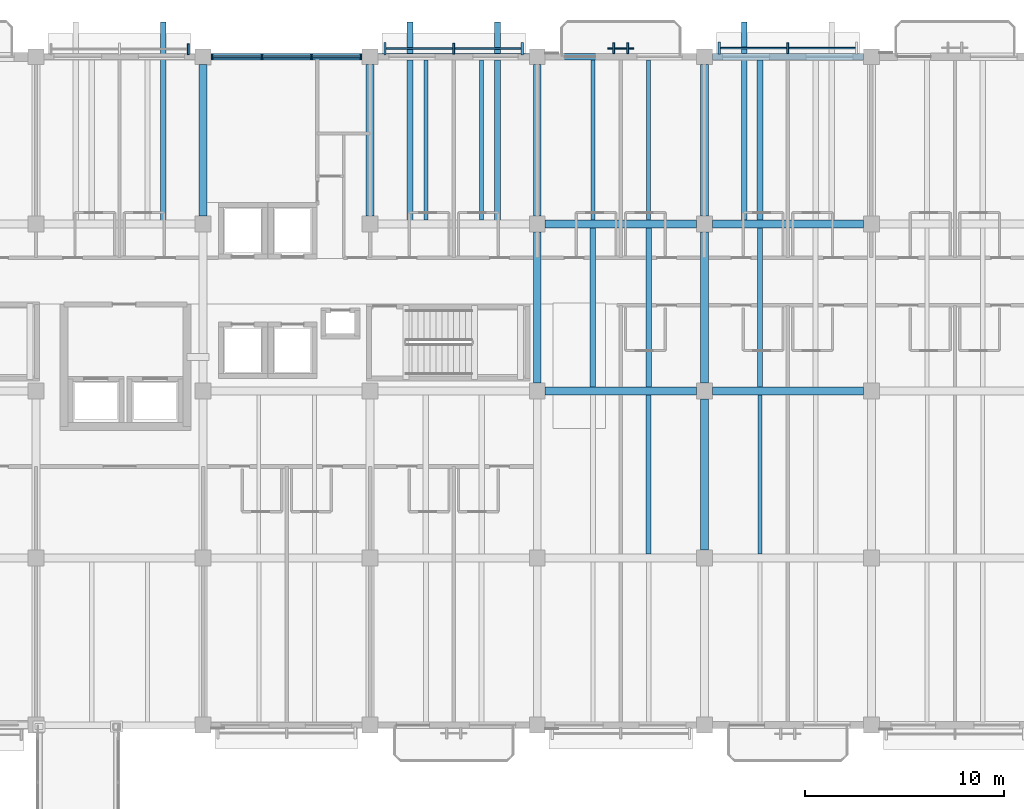
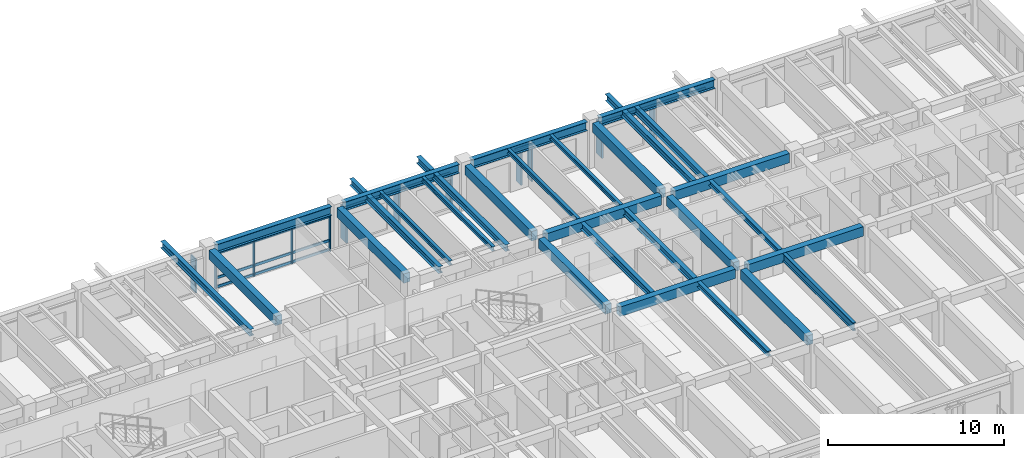
# One storey, part 19 of 123: 29 beams, 24 members, 5 elements without a shape of their own.
"""IFC4 building model written with IfcOpenShell, lengths in metres."""

from ifc_helpers import new_model, si_unit, direction, frame, origin, origin_2d, place, context, subcontext, project, spatial, rectangle, i_section, extrude, material, material_profile, profile_set, type_object, element, aggregate, save


model = new_model("IFC4")

# Units and contexts
model_context = context("Model", 3, precision=1e-05, world=origin(), true_north=direction((0.0, 1.0)))
body_context = subcontext(model_context, "Body", "Model", "MODEL_VIEW")
ifc_project = project(units=[si_unit("LENGTHUNIT", "METRE"), si_unit("AREAUNIT", "SQUARE_METRE"), si_unit("VOLUMEUNIT", "CUBIC_METRE"), si_unit("PLANEANGLEUNIT", "RADIAN"), si_unit("MASSUNIT", "GRAM", prefix="KILO")], contexts=[model_context])

# Site, building, storey
site_placement = place(None, origin())
site = spatial("IfcSite", under=ifc_project, at=site_placement, CompositionType="ELEMENT")
building_placement = place(site_placement, origin())
building = spatial("IfcBuilding", under=site, at=building_placement, Name="Cumbredor Promenade Congress Hotel", CompositionType="ELEMENT")
storey_placement = place(building_placement, frame((0.0, 0.0, 11.760009765625)))
storey = spatial("IfcBuildingStorey", under=building, at=storey_placement, Name="L03", CompositionType="ELEMENT", Elevation=11.760009765625)

# Beams
ifc_material_1 = material(Name="Concrete C40/50", Category="concrete")
ifc_material_profile_1 = material_profile(ifc_material_1, rectangle(XDim=0.39990234375, YDim=0.64990234375, at=origin_2d()), Name="RC BEAM 400x650")
ifc_profile_set_1 = profile_set([ifc_material_profile_1], Name="Concrete C40/50")
beam_type_1 = type_object("IfcBeamType", Name="BM-RC-400x650", PredefinedType="BEAM", material=ifc_profile_set_1)
for number, where, z_axis, x_axis, name in (
    (1, (33.60009765625, 109.60009765625, 2.794921875), (0.0, 1.0, 0.0), (-1.0, 0.0, 0.0), "L04 Y-Grid Beam 074"),
    (2, (42.0, 109.60009765625, 2.794921875), (0.0, 1.0, 0.0), (-1.0, 0.0, 0.0), "L04 Y-Grid Beam 087"),
    (3, (50.800048828125, 100.800048828125, 2.794921875), (1.0, 0.0, 0.0), (0.0, 1.0, 0.0), "L04 X-Grid Beam 098"),
):
    element("IfcBeam", number, at=place(storey_placement, frame(where, z_axis=z_axis, x_axis=x_axis)), inside=storey, type_object=beam_type_1, Name=name, PredefinedType="BEAM", context=body_context, shape_type="SweptSolid", body=[
        extrude(rectangle(XDim=0.39990234375, YDim=0.64990234375, at=origin_2d()), origin(), (0.0, 0.0, 1.0), 7.599853515625),
    ])
beam_1_placement = place(storey_placement, frame((50.39990234375, 101.199951171875, 2.794921875), z_axis=(0.0, 1.0, 0.0), x_axis=(-1.0, 0.0, 0.0)))
element("IfcBeam", 4, at=beam_1_placement, inside=storey, type_object=beam_type_1, Name="L04 Y-Grid Beam 099", PredefinedType="BEAM", context=body_context, shape_type="SweptSolid", body=[
    extrude(rectangle(XDim=0.39990234375, YDim=0.64990234375, at=origin_2d()), origin(), (0.0, 0.0, 1.0), 7.60009765625),
])
for number, where, z_axis, x_axis, name in (
    (5, (50.800048828125, 109.199951171875, 2.794921875), (1.0, 0.0, 0.0), (0.0, 1.0, 0.0), "L04 X-Grid Beam 100"),
    (6, (50.39990234375, 109.60009765625, 2.794921875), (0.0, 1.0, 0.0), (-1.0, 0.0, 0.0), "L04 Y-Grid Beam 101"),
    (7, (58.800048828125, 92.800048828125, 2.794921875), (0.0, 1.0, 0.0), (-1.0, 0.0, 0.0), "L04 Y-Grid Beam 119"),
):
    element("IfcBeam", number, at=place(storey_placement, frame(where, z_axis=z_axis, x_axis=x_axis)), inside=storey, type_object=beam_type_1, Name=name, PredefinedType="BEAM", context=body_context, shape_type="SweptSolid", body=[
        extrude(rectangle(XDim=0.39990234375, YDim=0.64990234375, at=origin_2d()), origin(), (0.0, 0.0, 1.0), 7.599853515625),
    ])
for number, where, z_axis, x_axis, name in (
    (8, (59.199951171875, 100.800048828125, 2.794921875), (1.0, 0.0, 0.0), (0.0, 1.0, 0.0), "L04 X-Grid Beam 120"),
    (9, (58.800048828125, 101.199951171875, 2.794921875), (0.0, 1.0, 0.0), (-1.0, 0.0, 0.0), "L04 Y-Grid Beam 121"),
    (10, (59.199951171875, 109.199951171875, 2.794921875), (1.0, 0.0, 0.0), (0.0, 1.0, 0.0), "L04 X-Grid Beam 122"),
):
    element("IfcBeam", number, at=place(storey_placement, frame(where, z_axis=z_axis, x_axis=x_axis)), inside=storey, type_object=beam_type_1, Name=name, PredefinedType="BEAM", context=body_context, shape_type="SweptSolid", body=[
        extrude(rectangle(XDim=0.39990234375, YDim=0.64990234375, at=origin_2d()), origin(), (0.0, 0.0, 1.0), 7.60009765625),
    ])
beam_2_placement = place(storey_placement, frame((58.800048828125, 109.60009765625, 2.794921875), z_axis=(0.0, 1.0, 0.0), x_axis=(-1.0, 0.0, 0.0)))
element("IfcBeam", 11, at=beam_2_placement, inside=storey, type_object=beam_type_1, Name="L04 Y-Grid Beam 123", PredefinedType="BEAM", context=body_context, shape_type="SweptSolid", body=[
    extrude(rectangle(XDim=0.39990234375, YDim=0.64990234375, at=origin_2d()), origin(), (0.0, 0.0, 1.0), 7.599853515625),
])
ifc_material_2 = material(Name="Steel ASTM A992 Grade 50", Category="steel")
ifc_material_profile_2 = material_profile(ifc_material_2, i_section(OverallWidth=0.323974609375, OverallDepth=0.611083984375, WebThickness=0.0126953125, FlangeThickness=0.01904296875, at=origin_2d()), Name="W24X104")
ifc_profile_set_2 = profile_set([ifc_material_profile_2], Name="Steel ASTM A992 Grade 50")
beam_type_2 = type_object("IfcBeamType", Name="BM-W24X104", PredefinedType="BEAM", material=ifc_profile_set_2)
for number, where, z_axis, x_axis, name in (
    (12, (34.0, 117.60009765625, 2.814453125), (1.0, 0.0, 0.0), (0.0, 1.0, 0.0), "L04 X-Grid Beam 075"),
    (13, (42.39990234375, 117.60009765625, 2.814453125), (1.0, 0.0, 0.0), (0.0, 1.0, 0.0), "L04 X-Grid Beam 088"),
):
    element("IfcBeam", number, at=place(storey_placement, frame(where, z_axis=z_axis, x_axis=x_axis)), inside=storey, type_object=beam_type_2, Name=name, PredefinedType="BEAM", context=body_context, shape_type="SweptSolid", body=[
        extrude(i_section(OverallWidth=0.323974609375, OverallDepth=0.611083984375, WebThickness=0.0126953125, FlangeThickness=0.01904296875, at=origin_2d()), origin(), (0.0, 0.0, 1.0), 7.60009765625),
    ])
beam_3_placement = place(storey_placement, frame((50.800048828125, 117.60009765625, 2.814453125), z_axis=(1.0, 0.0, 0.0), x_axis=(0.0, 1.0, 0.0)))
element("IfcBeam", 14, at=beam_3_placement, inside=storey, type_object=beam_type_2, Name="L04 X-Grid Beam 102", PredefinedType="BEAM", context=body_context, shape_type="SweptSolid", body=[
    extrude(i_section(OverallWidth=0.323974609375, OverallDepth=0.611083984375, WebThickness=0.0126953125, FlangeThickness=0.01904296875, at=origin_2d()), origin(), (0.0, 0.0, 1.0), 7.599853515625),
])
beam_4_placement = place(storey_placement, frame((59.199951171875, 117.60009765625, 2.814453125), z_axis=(1.0, 0.0, 0.0), x_axis=(0.0, 1.0, 0.0)))
element("IfcBeam", 15, at=beam_4_placement, inside=storey, type_object=beam_type_2, Name="L04 X-Grid Beam 124", PredefinedType="BEAM", context=body_context, shape_type="SweptSolid", body=[
    extrude(i_section(OverallWidth=0.323974609375, OverallDepth=0.611083984375, WebThickness=0.0126953125, FlangeThickness=0.01904296875, at=origin_2d()), origin(), (0.0, 0.0, 1.0), 7.60009765625),
])

# Curtain wall, members
ifc_material_3 = material(Name="Thermally broken anodized aluminium and low-E glass", Category="aluminium")
curtain_wall_type_1 = type_object("IfcCurtainWallType", Name="Unitised Bronze Curtain Wall CW-01", PredefinedType="NOTDEFINED", material=ifc_material_3)
curtain_wall_1_placement = place(storey_placement, origin())
curtain_wall_1 = element("IfcCurtainWall", 16, at=curtain_wall_1_placement, inside=storey, type_object=curtain_wall_type_1, Name="L03 Stepped Congress Hotel Wing North Curtain Wall 5", PredefinedType="NOTDEFINED")
ifc_material_4 = material(Name="Thermally broken anodized aluminium", Category="aluminium")
ifc_material_profile_3 = material_profile(ifc_material_4, rectangle(XDim=0.080078125, YDim=0.239990234375, at=origin_2d()), Name="ALU MULLION 80x240")
ifc_profile_set_3 = profile_set([ifc_material_profile_3], Name="Thermally broken anodized aluminium")
member_type_1 = type_object("IfcMemberType", Name="Curtain Wall Mullion ML-03", PredefinedType="MULLION", material=ifc_profile_set_3)
member_1_placement = place(storey_placement, frame((34.054931640625, 117.60009765625, -0.008056640625), z_axis=(0.0, 0.0, 1.0), x_axis=(1.0, 0.0, 0.0)))
member_1 = element("IfcMember", 17, at=member_1_placement, type_object=member_type_1, Name="L03 Stepped Congress Hotel Wing North Curtain Wall 5 Mullion 1", PredefinedType="MULLION", context=body_context, shape_type="SweptSolid", body=[
    extrude(rectangle(XDim=0.080078125, YDim=0.239990234375, at=origin_2d()), origin(), (0.0, 0.0, 1.0), 2.510009765625),
])
member_2_placement = place(storey_placement, frame((36.5517578125, 117.60009765625, -0.008056640625), z_axis=(0.0, 0.0, 1.0), x_axis=(1.0, 0.0, 0.0)))
member_2 = element("IfcMember", 18, at=member_2_placement, type_object=member_type_1, Name="L03 Stepped Congress Hotel Wing North Curtain Wall 5 Mullion 2", PredefinedType="MULLION", context=body_context, shape_type="SweptSolid", body=[
    extrude(rectangle(XDim=0.080078125, YDim=0.239990234375, at=origin_2d()), origin(), (0.0, 0.0, 1.0), 2.510009765625),
])
member_3_placement = place(storey_placement, frame((39.04833984375, 117.60009765625, -0.008056640625), z_axis=(0.0, 0.0, 1.0), x_axis=(1.0, 0.0, 0.0)))
member_3 = element("IfcMember", 19, at=member_3_placement, type_object=member_type_1, Name="L03 Stepped Congress Hotel Wing North Curtain Wall 5 Mullion 3", PredefinedType="MULLION", context=body_context, shape_type="SweptSolid", body=[
    extrude(rectangle(XDim=0.080078125, YDim=0.239990234375, at=origin_2d()), origin(), (0.0, 0.0, 1.0), 2.510009765625),
])
member_4_placement = place(storey_placement, frame((41.544921875, 117.60009765625, -0.008056640625), z_axis=(0.0, 0.0, 1.0), x_axis=(1.0, 0.0, 0.0)))
member_4 = element("IfcMember", 20, at=member_4_placement, type_object=member_type_1, Name="L03 Stepped Congress Hotel Wing North Curtain Wall 5 Mullion 4", PredefinedType="MULLION", context=body_context, shape_type="SweptSolid", body=[
    extrude(rectangle(XDim=0.080078125, YDim=0.239990234375, at=origin_2d()), origin(), (0.0, 0.0, 1.0), 2.510009765625),
])

# Curtain wall, member
curtain_wall_type_2 = type_object("IfcCurtainWallType", Name="Solar Brise-Soleil Screen Assembly CW-07", PredefinedType="NOTDEFINED", material=ifc_material_3)
curtain_wall_2_placement = place(storey_placement, origin())
curtain_wall_2 = element("IfcCurtainWall", 21, at=curtain_wall_2_placement, inside=storey, type_object=curtain_wall_type_2, Name="L03 Hospitality Brise-Soleil Screen 063", PredefinedType="NOTDEFINED")
ifc_material_profile_4 = material_profile(ifc_material_4, rectangle(XDim=0.06494140625, YDim=0.1298828125, at=origin_2d()), Name="ALU TRANSOM 65x130")
ifc_profile_set_4 = profile_set([ifc_material_profile_4], Name="Thermally broken anodized aluminium")
member_type_2 = type_object("IfcMemberType", Name="Curtain Wall Transom TR-01", PredefinedType="USERDEFINED", material=ifc_profile_set_4)
member_5_placement = place(storey_placement, frame((42.700927734375, 118.010009765625, 2.31396484375), z_axis=(1.0, 0.0, 0.0), x_axis=(0.0, 1.0, 0.0)))
member_5 = element("IfcMember", 22, at=member_5_placement, type_object=member_type_2, Name="L03 Brise-Soleil Screen Transom 063", ObjectType="TRANSOM", PredefinedType="USERDEFINED", context=body_context, shape_type="SweptSolid", body=[
    extrude(rectangle(XDim=0.06494140625, YDim=0.1298828125, at=origin_2d()), origin(), (0.0, 0.0, 1.0), 6.998046875),
])

curtain_wall_3_placement = place(storey_placement, origin())
curtain_wall_3 = element("IfcCurtainWall", 23, at=curtain_wall_3_placement, inside=storey, type_object=curtain_wall_type_2, Name="L03 Veranda Solar Brise-Soleil Screen 661", PredefinedType="NOTDEFINED")
member_6_placement = place(storey_placement, frame((53.949951171875, 118.0224609375, 2.4140625), z_axis=(1.0, 0.0, 0.0), x_axis=(0.0, 1.0, 0.0)))
member_6 = element("IfcMember", 24, at=member_6_placement, type_object=member_type_2, Name="L03 Brise-Soleil Header Tie 0663", ObjectType="TRANSOM", PredefinedType="USERDEFINED", context=body_context, shape_type="SweptSolid", body=[
    extrude(rectangle(XDim=0.06494140625, YDim=0.1298828125, at=origin_2d()), origin(), (0.0, 0.0, 1.0), 1.300048828125),
])

curtain_wall_4_placement = place(storey_placement, origin())
curtain_wall_4 = element("IfcCurtainWall", 25, at=curtain_wall_4_placement, inside=storey, type_object=curtain_wall_type_2, Name="L03 Hospitality Brise-Soleil Screen 064", PredefinedType="NOTDEFINED")
member_7_placement = place(storey_placement, frame((59.5009765625, 118.034912109375, 2.31396484375), z_axis=(1.0, 0.0, 0.0), x_axis=(0.0, 1.0, 0.0)))
member_7 = element("IfcMember", 26, at=member_7_placement, type_object=member_type_2, Name="L03 Brise-Soleil Screen Transom 064", ObjectType="TRANSOM", PredefinedType="USERDEFINED", context=body_context, shape_type="SweptSolid", body=[
    extrude(rectangle(XDim=0.06494140625, YDim=0.1298828125, at=origin_2d()), origin(), (0.0, 0.0, 1.0), 6.998046875),
])

# Member
ifc_material_profile_5 = material_profile(ifc_material_4, rectangle(XDim=0.080078125, YDim=0.179931640625, at=origin_2d()), Name="ALU TRANSOM 80x180")
ifc_profile_set_5 = profile_set([ifc_material_profile_5], Name="Thermally broken anodized aluminium")
member_type_3 = type_object("IfcMemberType", Name="Curtain Wall Transom TR-03", PredefinedType="USERDEFINED", material=ifc_profile_set_5)
member_8_placement = place(storey_placement, frame((34.094970703125, 117.60009765625, 0.090087890625), z_axis=(1.0, 0.0, 0.0), x_axis=(0.0, 1.0, 0.0)))
member_8 = element("IfcMember", 27, at=member_8_placement, type_object=member_type_3, Name="L03 Stepped Congress Hotel Wing North Curtain Wall 5 Transom 1.1", ObjectType="TRANSOM", PredefinedType="USERDEFINED", context=body_context, shape_type="SweptSolid", body=[
    extrude(rectangle(XDim=0.080078125, YDim=0.179931640625, at=origin_2d()), origin(), (0.0, 0.0, 1.0), 2.416748046875),
])

member_9_placement = place(storey_placement, frame((34.094970703125, 117.60009765625, 0.719970703125), z_axis=(1.0, 0.0, 0.0), x_axis=(0.0, 1.0, 0.0)))
member_9 = element("IfcMember", 28, at=member_9_placement, type_object=member_type_3, Name="L03 Stepped Congress Hotel Wing North Curtain Wall 5 Transom 1.2", ObjectType="TRANSOM", PredefinedType="USERDEFINED", context=body_context, shape_type="SweptSolid", body=[
    extrude(rectangle(XDim=0.080078125, YDim=0.179931640625, at=origin_2d()), origin(), (0.0, 0.0, 1.0), 2.416748046875),
])

member_10_placement = place(storey_placement, frame((34.094970703125, 117.60009765625, 2.39990234375), z_axis=(1.0, 0.0, 0.0), x_axis=(0.0, 1.0, 0.0)))
member_10 = element("IfcMember", 29, at=member_10_placement, type_object=member_type_3, Name="L03 Stepped Congress Hotel Wing North Curtain Wall 5 Transom 1.3", ObjectType="TRANSOM", PredefinedType="USERDEFINED", context=body_context, shape_type="SweptSolid", body=[
    extrude(rectangle(XDim=0.080078125, YDim=0.179931640625, at=origin_2d()), origin(), (0.0, 0.0, 1.0), 2.416748046875),
])

member_11_placement = place(storey_placement, frame((36.591796875, 117.60009765625, 0.090087890625), z_axis=(1.0, 0.0, 0.0), x_axis=(0.0, 1.0, 0.0)))
member_11 = element("IfcMember", 30, at=member_11_placement, type_object=member_type_3, Name="L03 Stepped Congress Hotel Wing North Curtain Wall 5 Transom 2.1", ObjectType="TRANSOM", PredefinedType="USERDEFINED", context=body_context, shape_type="SweptSolid", body=[
    extrude(rectangle(XDim=0.080078125, YDim=0.179931640625, at=origin_2d()), origin(), (0.0, 0.0, 1.0), 2.41650390625),
])

member_12_placement = place(storey_placement, frame((36.591796875, 117.60009765625, 0.719970703125), z_axis=(1.0, 0.0, 0.0), x_axis=(0.0, 1.0, 0.0)))
member_12 = element("IfcMember", 31, at=member_12_placement, type_object=member_type_3, Name="L03 Stepped Congress Hotel Wing North Curtain Wall 5 Transom 2.2", ObjectType="TRANSOM", PredefinedType="USERDEFINED", context=body_context, shape_type="SweptSolid", body=[
    extrude(rectangle(XDim=0.080078125, YDim=0.179931640625, at=origin_2d()), origin(), (0.0, 0.0, 1.0), 2.41650390625),
])

member_13_placement = place(storey_placement, frame((36.591796875, 117.60009765625, 2.39990234375), z_axis=(1.0, 0.0, 0.0), x_axis=(0.0, 1.0, 0.0)))
member_13 = element("IfcMember", 32, at=member_13_placement, type_object=member_type_3, Name="L03 Stepped Congress Hotel Wing North Curtain Wall 5 Transom 2.3", ObjectType="TRANSOM", PredefinedType="USERDEFINED", context=body_context, shape_type="SweptSolid", body=[
    extrude(rectangle(XDim=0.080078125, YDim=0.179931640625, at=origin_2d()), origin(), (0.0, 0.0, 1.0), 2.41650390625),
])

member_14_placement = place(storey_placement, frame((39.08837890625, 117.60009765625, 0.090087890625), z_axis=(1.0, 0.0, 0.0), x_axis=(0.0, 1.0, 0.0)))
member_14 = element("IfcMember", 33, at=member_14_placement, type_object=member_type_3, Name="L03 Stepped Congress Hotel Wing North Curtain Wall 5 Transom 3.1", ObjectType="TRANSOM", PredefinedType="USERDEFINED", context=body_context, shape_type="SweptSolid", body=[
    extrude(rectangle(XDim=0.080078125, YDim=0.179931640625, at=origin_2d()), origin(), (0.0, 0.0, 1.0), 2.41650390625),
])

member_15_placement = place(storey_placement, frame((39.08837890625, 117.60009765625, 0.719970703125), z_axis=(1.0, 0.0, 0.0), x_axis=(0.0, 1.0, 0.0)))
member_15 = element("IfcMember", 34, at=member_15_placement, type_object=member_type_3, Name="L03 Stepped Congress Hotel Wing North Curtain Wall 5 Transom 3.2", ObjectType="TRANSOM", PredefinedType="USERDEFINED", context=body_context, shape_type="SweptSolid", body=[
    extrude(rectangle(XDim=0.080078125, YDim=0.179931640625, at=origin_2d()), origin(), (0.0, 0.0, 1.0), 2.41650390625),
])

member_16_placement = place(storey_placement, frame((39.08837890625, 117.60009765625, 2.39990234375), z_axis=(1.0, 0.0, 0.0), x_axis=(0.0, 1.0, 0.0)))
member_16 = element("IfcMember", 35, at=member_16_placement, type_object=member_type_3, Name="L03 Stepped Congress Hotel Wing North Curtain Wall 5 Transom 3.3", ObjectType="TRANSOM", PredefinedType="USERDEFINED", context=body_context, shape_type="SweptSolid", body=[
    extrude(rectangle(XDim=0.080078125, YDim=0.179931640625, at=origin_2d()), origin(), (0.0, 0.0, 1.0), 2.41650390625),
])

aggregate(curtain_wall_1, [member_1, member_2, member_3, member_4, member_8, member_9, member_10, member_11, member_12, member_13, member_14, member_15, member_16])

# Beams
ifc_material_profile_6 = material_profile(ifc_material_2, i_section(OverallWidth=0.202880859375, OverallDepth=0.302978515625, WebThickness=0.007568359375, FlangeThickness=0.01318359375, at=origin_2d()), Name="W12X40")
ifc_profile_set_6 = profile_set([ifc_material_profile_6], Name="Steel ASTM A992 Grade 50")
beam_type_3 = type_object("IfcBeamType", Name="JST-W12X40", PredefinedType="JOIST", material=ifc_profile_set_6)
for number, where, z_axis, x_axis, name in (
    (36, (44.800048828125, 109.39990234375, 2.968505859375), (0.0, 1.0, 0.0), (-1.0, 0.0, 0.0), "L04 Secondary Floor Joist 0050"),
    (37, (47.60009765625, 109.39990234375, 2.968505859375), (0.0, 1.0, 0.0), (-1.0, 0.0, 0.0), "L04 Secondary Floor Joist 0051"),
    (38, (53.199951171875, 109.39990234375, 2.968505859375), (0.0, 1.0, 0.0), (-1.0, 0.0, 0.0), "L04 Secondary Floor Joist 0060"),
    (39, (56.0, 109.39990234375, 2.968505859375), (0.0, 1.0, 0.0), (-1.0, 0.0, 0.0), "L04 Secondary Floor Joist 0061"),
):
    element("IfcBeam", number, at=place(storey_placement, frame(where, z_axis=z_axis, x_axis=x_axis)), inside=storey, type_object=beam_type_3, Name=name, PredefinedType="JOIST", context=body_context, shape_type="SweptSolid", body=[
        extrude(i_section(OverallWidth=0.202880859375, OverallDepth=0.302978515625, WebThickness=0.007568359375, FlangeThickness=0.01318359375, at=origin_2d()), origin(), (0.0, 0.0, 1.0), 8.0380859375),
    ])
ifc_material_profile_7 = material_profile(ifc_material_2, i_section(OverallWidth=0.2548828125, OverallDepth=0.35693359375, WebThickness=0.010498046875, FlangeThickness=0.018310546875, at=origin_2d()), Name="W14X68")
ifc_profile_set_7 = profile_set([ifc_material_profile_7], Name="Steel ASTM A992 Grade 50")
beam_type_4 = type_object("IfcBeamType", Name="JST-W14X68", PredefinedType="JOIST", material=ifc_profile_set_7)
for number, where, z_axis, x_axis, name in (
    (40, (56.0, 92.60009765625, 2.94140625), (0.0, 1.0, 0.0), (-1.0, 0.0, 0.0), "L04 Secondary Floor Joist 0057"),
    (41, (61.60009765625, 101.0, 2.94140625), (0.0, 1.0, 0.0), (-1.0, 0.0, 0.0), "L04 Secondary Floor Joist 0076"),
):
    element("IfcBeam", number, at=place(storey_placement, frame(where, z_axis=z_axis, x_axis=x_axis)), inside=storey, type_object=beam_type_4, Name=name, PredefinedType="JOIST", context=body_context, shape_type="SweptSolid", body=[
        extrude(i_section(OverallWidth=0.2548828125, OverallDepth=0.35693359375, WebThickness=0.010498046875, FlangeThickness=0.018310546875, at=origin_2d()), origin(), (0.0, 0.0, 1.0), 8.0),
    ])
ifc_material_profile_8 = material_profile(ifc_material_2, i_section(OverallWidth=0.280029296875, OverallDepth=0.462890625, WebThickness=0.0107421875, FlangeThickness=0.017333984375, at=origin_2d()), Name="W18X76")
ifc_profile_set_8 = profile_set([ifc_material_profile_8], Name="Steel ASTM A992 Grade 50")
beam_type_5 = type_object("IfcBeamType", Name="JST-W18X76", PredefinedType="JOIST", material=ifc_profile_set_8)
for number, where, z_axis, x_axis, name in (
    (42, (31.60009765625, 109.199951171875, 2.888427734375), (0.0, 1.0, 0.0), (-1.0, 0.0, 0.0), "L04 Balcony Back-Spanned Outrigger Beam 021.2"),
    (43, (44.0, 109.199951171875, 2.888427734375), (0.0, 1.0, 0.0), (-1.0, 0.0, 0.0), "L04 Balcony Back-Spanned Outrigger Beam 022.1"),
    (44, (48.39990234375, 109.199951171875, 2.888427734375), (0.0, 1.0, 0.0), (-1.0, 0.0, 0.0), "L04 Balcony Back-Spanned Outrigger Beam 022.2"),
    (45, (60.800048828125, 109.199951171875, 2.888427734375), (0.0, 1.0, 0.0), (-1.0, 0.0, 0.0), "L04 Balcony Back-Spanned Outrigger Beam 023.1"),
):
    element("IfcBeam", number, at=place(storey_placement, frame(where, z_axis=z_axis, x_axis=x_axis)), inside=storey, type_object=beam_type_5, Name=name, PredefinedType="JOIST", context=body_context, shape_type="SweptSolid", body=[
        extrude(i_section(OverallWidth=0.280029296875, OverallDepth=0.462890625, WebThickness=0.0107421875, FlangeThickness=0.017333984375, at=origin_2d()), origin(), (0.0, 0.0, 1.0), 10.150146484375),
    ])
for number, where, z_axis, x_axis, name in (
    (46, (53.199951171875, 101.0, 2.888427734375), (0.0, 1.0, 0.0), (-1.0, 0.0, 0.0), "L04 Secondary Floor Joist 0058"),
    (47, (56.0, 101.0, 2.888427734375), (0.0, 1.0, 0.0), (-1.0, 0.0, 0.0), "L04 Secondary Floor Joist 0059"),
):
    element("IfcBeam", number, at=place(storey_placement, frame(where, z_axis=z_axis, x_axis=x_axis)), inside=storey, type_object=beam_type_5, Name=name, PredefinedType="JOIST", context=body_context, shape_type="SweptSolid", body=[
        extrude(i_section(OverallWidth=0.280029296875, OverallDepth=0.462890625, WebThickness=0.0107421875, FlangeThickness=0.017333984375, at=origin_2d()), origin(), (0.0, 0.0, 1.0), 8.0),
    ])
beam_5_placement = place(storey_placement, frame((61.60009765625, 109.39990234375, 2.888427734375), z_axis=(0.0, 1.0, 0.0), x_axis=(-1.0, 0.0, 0.0)))
element("IfcBeam", 48, at=beam_5_placement, inside=storey, type_object=beam_type_5, Name="L04 Secondary Floor Joist 0078", PredefinedType="JOIST", context=body_context, shape_type="SweptSolid", body=[
    extrude(i_section(OverallWidth=0.280029296875, OverallDepth=0.462890625, WebThickness=0.0107421875, FlangeThickness=0.017333984375, at=origin_2d()), origin(), (0.0, 0.0, 1.0), 8.0380859375),
])
ifc_material_profile_9 = material_profile(ifc_material_2, i_section(OverallWidth=0.214111328125, OverallDepth=0.549072265625, WebThickness=0.0146484375, FlangeThickness=0.023681640625, at=origin_2d()), Name="W21X93")
ifc_profile_set_9 = profile_set([ifc_material_profile_9], Name="Steel ASTM A992 Grade 50")
beam_type_6 = type_object("IfcBeamType", Name="JST-W21X93", PredefinedType="JOIST", material=ifc_profile_set_9)
beam_6_placement = place(storey_placement, frame((61.60009765625, 92.60009765625, 2.845458984375), z_axis=(0.0, 1.0, 0.0), x_axis=(-1.0, 0.0, 0.0)))
element("IfcBeam", 49, at=beam_6_placement, inside=storey, type_object=beam_type_6, Name="L04 Secondary Floor Joist 0074", PredefinedType="JOIST", context=body_context, shape_type="SweptSolid", body=[
    extrude(i_section(OverallWidth=0.214111328125, OverallDepth=0.549072265625, WebThickness=0.0146484375, FlangeThickness=0.023681640625, at=origin_2d()), origin(), (0.0, 0.0, 1.0), 8.0),
])

# Member
ifc_material_profile_10 = material_profile(ifc_material_4, rectangle(XDim=0.110107421875, YDim=0.6201171875, at=origin_2d()), Name="ARCH FIN 110x620")
ifc_profile_set_10 = profile_set([ifc_material_profile_10], Name="Thermally broken anodized aluminium")
member_type_4 = type_object("IfcMemberType", Name="Vertical Bronze Brise-Soleil Fin BSF-02 110x620", PredefinedType="USERDEFINED", material=ifc_profile_set_10)
member_17_placement = place(storey_placement, frame((42.7509765625, 118.010009765625, 0.02001953125), z_axis=(0.0, 0.0, 1.0), x_axis=(1.0, 0.0, 0.0)))
member_17 = element("IfcMember", 50, at=member_17_placement, type_object=member_type_4, Name="L03 Vertical Brise-Soleil Fin 0658", ObjectType="SOLAR FIN", PredefinedType="USERDEFINED", context=body_context, shape_type="SweptSolid", body=[
    extrude(rectangle(XDim=0.110107421875, YDim=0.6201171875, at=origin_2d()), origin(), (0.0, 0.0, 1.0), 2.35400390625),
])

member_18_placement = place(storey_placement, frame((49.64892578125, 118.010009765625, 0.02001953125), z_axis=(0.0, 0.0, 1.0), x_axis=(1.0, 0.0, 0.0)))
member_18 = element("IfcMember", 51, at=member_18_placement, type_object=member_type_4, Name="L03 Vertical Brise-Soleil Fin 0660", ObjectType="SOLAR FIN", PredefinedType="USERDEFINED", context=body_context, shape_type="SweptSolid", body=[
    extrude(rectangle(XDim=0.110107421875, YDim=0.6201171875, at=origin_2d()), origin(), (0.0, 0.0, 1.0), 2.35400390625),
])

member_19_placement = place(storey_placement, frame((59.551025390625, 118.034912109375, 0.02001953125), z_axis=(0.0, 0.0, 1.0), x_axis=(1.0, 0.0, 0.0)))
member_19 = element("IfcMember", 52, at=member_19_placement, type_object=member_type_4, Name="L03 Vertical Brise-Soleil Fin 0664", ObjectType="SOLAR FIN", PredefinedType="USERDEFINED", context=body_context, shape_type="SweptSolid", body=[
    extrude(rectangle(XDim=0.110107421875, YDim=0.6201171875, at=origin_2d()), origin(), (0.0, 0.0, 1.0), 2.35400390625),
])

# Curtain wall, member
curtain_wall_5_placement = place(storey_placement, origin())
curtain_wall_5 = element("IfcCurtainWall", 53, at=curtain_wall_5_placement, inside=storey, type_object=curtain_wall_type_2, Name="L03 Hospitality Brise-Soleil Screen 062", PredefinedType="NOTDEFINED")
ifc_material_5 = material(Name="Kiln-dried tropical hardwood", Category="wood")
ifc_material_profile_11 = material_profile(ifc_material_5, rectangle(XDim=0.090087890625, YDim=0.550048828125, at=origin_2d()), Name="ARCH FIN 90x550")
ifc_profile_set_11 = profile_set([ifc_material_profile_11], Name="Kiln-dried tropical hardwood")
member_type_5 = type_object("IfcMemberType", Name="Vertical Hardwood Brise-Soleil Fin BSF-01 90x550", PredefinedType="USERDEFINED", material=ifc_profile_set_11)
member_20_placement = place(storey_placement, frame((32.84912109375, 117.989990234375, 0.02001953125), z_axis=(0.0, 0.0, 1.0), x_axis=(1.0, 0.0, 0.0)))
member_20 = element("IfcMember", 54, at=member_20_placement, type_object=member_type_5, Name="L03 Vertical Brise-Soleil Fin 0657", ObjectType="SOLAR FIN", PredefinedType="USERDEFINED", context=body_context, shape_type="SweptSolid", body=[
    extrude(rectangle(XDim=0.090087890625, YDim=0.550048828125, at=origin_2d()), origin(), (0.0, 0.0, 1.0), 2.35400390625),
])
aggregate(curtain_wall_5, [member_20])

# Member
member_21_placement = place(storey_placement, frame((46.199951171875, 118.010009765625, 0.02001953125), z_axis=(0.0, 0.0, 1.0), x_axis=(1.0, 0.0, 0.0)))
member_21 = element("IfcMember", 55, at=member_21_placement, type_object=member_type_5, Name="L03 Vertical Brise-Soleil Fin 0659", ObjectType="SOLAR FIN", PredefinedType="USERDEFINED", context=body_context, shape_type="SweptSolid", body=[
    extrude(rectangle(XDim=0.090087890625, YDim=0.550048828125, at=origin_2d()), origin(), (0.0, 0.0, 1.0), 2.35400390625),
])

aggregate(curtain_wall_2, [member_5, member_17, member_21, member_18])

member_22_placement = place(storey_placement, frame((54.25, 118.0224609375, -0.010009765625), z_axis=(0.0, 0.0, 1.0), x_axis=(1.0, 0.0, 0.0)))
member_22 = element("IfcMember", 56, at=member_22_placement, type_object=member_type_5, Name="L03 Vertical Hardwood Brise-Soleil Fin 0662", ObjectType="SOLAR FIN", PredefinedType="USERDEFINED", context=body_context, shape_type="SweptSolid", body=[
    extrude(rectangle(XDim=0.090087890625, YDim=0.550048828125, at=origin_2d()), origin(), (0.0, 0.0, 1.0), 2.48388671875),
])

member_23_placement = place(storey_placement, frame((54.949951171875, 118.0224609375, -0.010009765625), z_axis=(0.0, 0.0, 1.0), x_axis=(1.0, 0.0, 0.0)))
member_23 = element("IfcMember", 57, at=member_23_placement, type_object=member_type_5, Name="L03 Vertical Hardwood Brise-Soleil Fin 0663", ObjectType="SOLAR FIN", PredefinedType="USERDEFINED", context=body_context, shape_type="SweptSolid", body=[
    extrude(rectangle(XDim=0.090087890625, YDim=0.550048828125, at=origin_2d()), origin(), (0.0, 0.0, 1.0), 2.48388671875),
])

aggregate(curtain_wall_3, [member_22, member_23, member_6])

member_24_placement = place(storey_placement, frame((63.0, 118.034912109375, 0.02001953125), z_axis=(0.0, 0.0, 1.0), x_axis=(1.0, 0.0, 0.0)))
member_24 = element("IfcMember", 58, at=member_24_placement, type_object=member_type_5, Name="L03 Vertical Brise-Soleil Fin 0665", ObjectType="SOLAR FIN", PredefinedType="USERDEFINED", context=body_context, shape_type="SweptSolid", body=[
    extrude(rectangle(XDim=0.090087890625, YDim=0.550048828125, at=origin_2d()), origin(), (0.0, 0.0, 1.0), 2.35400390625),
])

aggregate(curtain_wall_4, [member_7, member_19, member_24])

save(model, "model.ifc")
